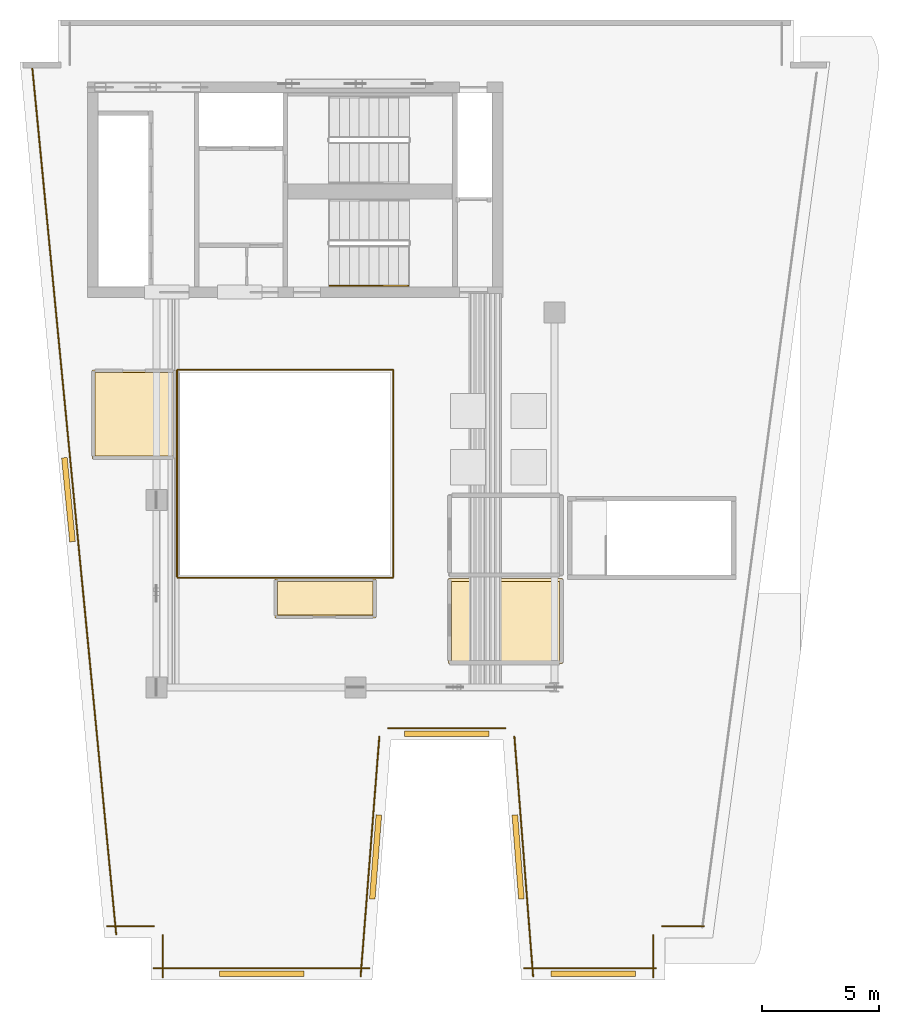
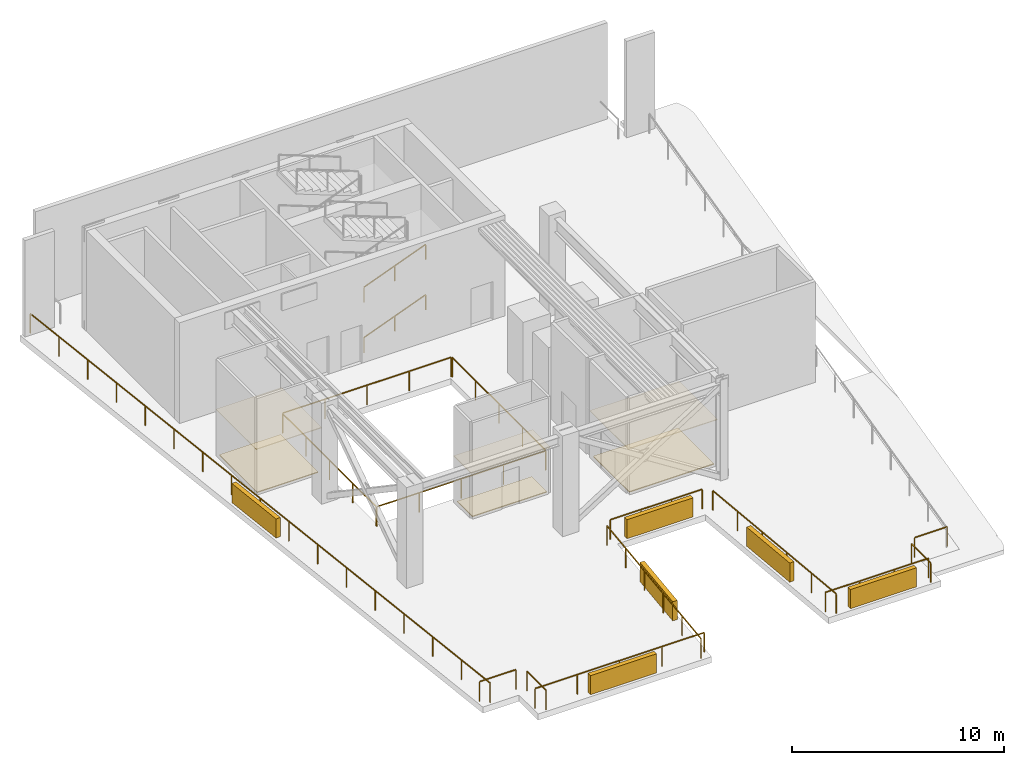
# One storey, part 4 of 8: 16 railings, 6 coverings, 6 shading devices.
"""IFC4 building model written with IfcOpenShell, lengths in metres."""

from ifc_helpers import new_model, si_unit, direction, frame, origin, origin_2d, place, context, subcontext, project, spatial, polyline, rectangle, outline, extrude, material, layer, layer_set, type_object, element, save


model = new_model("IFC4")

# Units and contexts
model_context = context("Model", 3, precision=1e-05, world=origin(), true_north=direction((0.0, 1.0)))
body_context = subcontext(model_context, "Body", "Model", "MODEL_VIEW")
ifc_project = project(units=[si_unit("LENGTHUNIT", "METRE"), si_unit("AREAUNIT", "SQUARE_METRE"), si_unit("VOLUMEUNIT", "CUBIC_METRE"), si_unit("PLANEANGLEUNIT", "RADIAN"), si_unit("MASSUNIT", "GRAM", prefix="KILO")], contexts=[model_context])

# Site, building, storey
site_placement = place(None, origin())
site = spatial("IfcSite", under=ifc_project, at=site_placement, CompositionType="ELEMENT")
building_placement = place(site_placement, origin())
building = spatial("IfcBuilding", under=site, at=building_placement, Name="Caeloran Harvest Quay", CompositionType="ELEMENT")
storey_placement = place(building_placement, frame((0.0, 0.0, 250.89990234375)))
storey = spatial("IfcBuildingStorey", under=building, at=storey_placement, Name="L60", CompositionType="ELEMENT", Elevation=250.89990234375)

# Coverings
ifc_material_1 = material(Name="Perforated Mineral-Fibre Acoustic Ceiling Tile", Category="ceiling")
ifc_layer_1 = layer(ifc_material_1, 0.0400390625, Name="Perforated Mineral-Fibre Acoustic Ceiling Tile")
ifc_layer_set_1 = layer_set([ifc_layer_1], Name="Perforated Mineral-Fibre Acoustic Ceiling Tile")
covering_type_1 = type_object("IfcCoveringType", Name="COV-CEILING-ACOUSTIC", PredefinedType="CEILING", material=ifc_layer_set_1)
covering_1_placement = place(storey_placement, frame((0.0, 0.0, 2.60009765625)))
element("IfcCovering", 1, at=covering_1_placement, inside=storey, type_object=covering_type_1, Name="L60 Zone Chilled-Water Heat Exchanger and Pump Plant Room Acoustic Ceiling", PredefinedType="CEILING", context=body_context, shape_type="SweptSolid", body=[
    extrude(outline(polyline([(25.840087890625, 19.639892578125), (25.840087890625, 16.010009765625), (20.97998046875, 16.010009765625), (20.97998046875, 19.639892578125), (25.840087890625, 19.639892578125)])), origin(), (0.0, 0.0, 1.0), 0.0400390625),
])
covering_2_placement = place(storey_placement, frame((0.0, 0.0, 2.60009765625)))
element("IfcCovering", 2, at=covering_2_placement, inside=storey, type_object=covering_type_1, Name="L60 Refuge Male Washroom WC Acoustic Ceiling", PredefinedType="CEILING", context=body_context, shape_type="SweptSolid", body=[
    extrude(outline(polyline([(17.860107421875, 19.6298828125), (17.860107421875, 17.9599609375), (13.56005859375, 17.9599609375), (13.56005859375, 19.6298828125), (17.860107421875, 19.6298828125)])), origin(), (0.0, 0.0, 1.0), 0.0400390625),
])
covering_3_placement = place(storey_placement, frame((0.0, 0.0, 2.60009765625)))
element("IfcCovering", 3, at=covering_3_placement, inside=storey, type_object=covering_type_1, Name="L60 Refuge Accessible Unisex Washroom WC Acoustic Ceiling", PredefinedType="CEILING", context=body_context, shape_type="SweptSolid", body=[
    extrude(outline(polyline([(9.330078125, 28.56005859375), (9.330078125, 24.760009765625), (5.760009765625, 24.760009765625), (5.760009765625, 28.56005859375), (9.330078125, 28.56005859375)])), origin(), (0.0, 0.0, 1.0), 0.0400390625),
])
ifc_material_2 = material(Name="Calcium-Sulphate Raised Access Floor and Terrazzo Finish", Category="flooring")
ifc_layer_2 = layer(ifc_material_2, 0.050048828125, Name="Calcium-Sulphate Raised Access Floor and Terrazzo Finish")
ifc_layer_set_2 = layer_set([ifc_layer_2], Name="Calcium-Sulphate Raised Access Floor and Terrazzo Finish")
covering_type_2 = type_object("IfcCoveringType", Name="COV-FLOOR-RAISED", PredefinedType="FLOORING", material=ifc_layer_set_2)
covering_4_placement = place(storey_placement, origin())
element("IfcCovering", 4, at=covering_4_placement, inside=storey, type_object=covering_type_2, Name="L60 Zone Chilled-Water Heat Exchanger and Pump Plant Room Raised Finish Flooring", PredefinedType="FLOORING", context=body_context, shape_type="SweptSolid", body=[
    extrude(outline(polyline([(25.719970703125, 19.52001953125), (25.719970703125, 16.1298828125), (21.10009765625, 16.1298828125), (21.10009765625, 19.52001953125), (25.719970703125, 19.52001953125)])), origin(), (0.0, 0.0, 1.0), 0.050048828125),
])
covering_5_placement = place(storey_placement, origin())
element("IfcCovering", 5, at=covering_5_placement, inside=storey, type_object=covering_type_2, Name="L60 Refuge Male Washroom WC Raised Finish Flooring", PredefinedType="FLOORING", context=body_context, shape_type="SweptSolid", body=[
    extrude(outline(polyline([(17.739990234375, 19.510009765625), (17.739990234375, 18.080078125), (13.679931640625, 18.080078125), (13.679931640625, 19.510009765625), (17.739990234375, 19.510009765625)])), origin(), (0.0, 0.0, 1.0), 0.050048828125),
])
covering_6_placement = place(storey_placement, origin())
element("IfcCovering", 6, at=covering_6_placement, inside=storey, type_object=covering_type_2, Name="L60 Refuge Accessible Unisex Washroom WC Raised Finish Flooring", PredefinedType="FLOORING", context=body_context, shape_type="SweptSolid", body=[
    extrude(outline(polyline([(9.2099609375, 28.43994140625), (9.2099609375, 24.8798828125), (5.8798828125, 24.8798828125), (5.8798828125, 28.43994140625), (9.2099609375, 28.43994140625)])), origin(), (0.0, 0.0, 1.0), 0.050048828125),
])

# Railings
ifc_material_3 = material(Name="Powder-Coated Steel Post and Laminated Glass Guardrail", Category="steel")
ifc_layer_3 = layer(ifc_material_3, 0.06005859375, Name="Powder-Coated Steel Post and Laminated Glass Guardrail")
ifc_layer_set_3 = layer_set([ifc_layer_3], Name="Powder-Coated Steel Post and Laminated Glass Guardrail")
railing_type_1 = type_object("IfcRailingType", Name="GUARD-ATRIUM-1150", PredefinedType="GUARDRAIL", material=ifc_layer_set_3)
railing_1_placement = place(storey_placement, frame((9.412109375, 19.679931640625, 0.0)))
element("IfcRailing", 7, at=railing_1_placement, inside=storey, type_object=railing_type_1, Name="L60 Skylit Atrium Void Perimeter Guardrail Seg 1", PredefinedType="GUARDRAIL", context=body_context, shape_type="SweptSolid", body=[
    extrude(rectangle(XDim=0.048095703125, YDim=0.048095703125, at=origin_2d()), frame((0.0, 0.0, 1.1259765625), z_axis=(1.0, 0.0, 0.0), x_axis=(0.0, 1.0, 0.0)), (0.0, 0.0, 1.0), 9.17578125),
    extrude(rectangle(XDim=0.0419921875, YDim=0.0419921875, at=origin_2d()), origin(), (0.0, 0.0, 1.0), 1.101806640625),
    extrude(rectangle(XDim=0.0419921875, YDim=0.0419921875, at=origin_2d()), frame((2.2939453125, 0.0, 0.0)), (0.0, 0.0, 1.0), 1.101806640625),
    extrude(rectangle(XDim=0.0419921875, YDim=0.0419921875, at=origin_2d()), frame((4.587890625, 0.0, 0.0)), (0.0, 0.0, 1.0), 1.101806640625),
    extrude(rectangle(XDim=0.0419921875, YDim=0.0419921875, at=origin_2d()), frame((6.8818359375, 0.0, 0.0)), (0.0, 0.0, 1.0), 1.101806640625),
    extrude(rectangle(XDim=0.0419921875, YDim=0.0419921875, at=origin_2d()), frame((9.17578125, 0.0, 0.0)), (0.0, 0.0, 1.0), 1.101806640625),
])
railing_2_placement = place(storey_placement, frame((18.6201171875, 19.7119140625, 0.0)))
element("IfcRailing", 8, at=railing_2_placement, inside=storey, type_object=railing_type_1, Name="L60 Skylit Atrium Void Perimeter Guardrail Seg 2", PredefinedType="GUARDRAIL", context=body_context, shape_type="SweptSolid", body=[
    extrude(rectangle(XDim=0.048095703125, YDim=0.048095703125, at=origin_2d()), frame((0.0, 0.0, 1.1259765625), z_axis=(0.0, 1.0, 0.0), x_axis=(-1.0, 0.0, 0.0)), (0.0, 0.0, 1.0), 8.826171875),
    extrude(rectangle(XDim=0.0419921875, YDim=0.0419921875, at=origin_2d()), origin(), (0.0, 0.0, 1.0), 1.101806640625),
    extrude(rectangle(XDim=0.0419921875, YDim=0.0419921875, at=origin_2d()), frame((0.0, 2.20654296875, 0.0)), (0.0, 0.0, 1.0), 1.101806640625),
    extrude(rectangle(XDim=0.0419921875, YDim=0.0419921875, at=origin_2d()), frame((0.0, 4.4130859375, 0.0)), (0.0, 0.0, 1.0), 1.101806640625),
    extrude(rectangle(XDim=0.0419921875, YDim=0.0419921875, at=origin_2d()), frame((0.0, 6.61962890625, 0.0)), (0.0, 0.0, 1.0), 1.101806640625),
    extrude(rectangle(XDim=0.0419921875, YDim=0.0419921875, at=origin_2d()), frame((0.0, 8.826171875, 0.0)), (0.0, 0.0, 1.0), 1.101806640625),
])
railing_3_placement = place(storey_placement, frame((18.587890625, 28.570068359375, 0.0)))
element("IfcRailing", 9, at=railing_3_placement, inside=storey, type_object=railing_type_1, Name="L60 Skylit Atrium Void Perimeter Guardrail Seg 3", PredefinedType="GUARDRAIL", context=body_context, shape_type="SweptSolid", body=[
    extrude(rectangle(XDim=0.048095703125, YDim=0.048095703125, at=origin_2d()), frame((0.0, 0.0, 1.1259765625), z_axis=(-1.0, 0.0, 0.0), x_axis=(0.0, -1.0, 0.0)), (0.0, 0.0, 1.0), 9.17578125),
    extrude(rectangle(XDim=0.0419921875, YDim=0.0419921875, at=origin_2d()), origin(), (0.0, 0.0, 1.0), 1.101806640625),
    extrude(rectangle(XDim=0.0419921875, YDim=0.0419921875, at=origin_2d()), frame((-2.2939453125, 0.0, 0.0)), (0.0, 0.0, 1.0), 1.101806640625),
    extrude(rectangle(XDim=0.0419921875, YDim=0.0419921875, at=origin_2d()), frame((-4.587890625, 0.0, 0.0)), (0.0, 0.0, 1.0), 1.101806640625),
    extrude(rectangle(XDim=0.0419921875, YDim=0.0419921875, at=origin_2d()), frame((-6.8818359375, 0.0, 0.0)), (0.0, 0.0, 1.0), 1.101806640625),
    extrude(rectangle(XDim=0.0419921875, YDim=0.0419921875, at=origin_2d()), frame((-9.17578125, 0.0, 0.0)), (0.0, 0.0, 1.0), 1.101806640625),
])
railing_4_placement = place(storey_placement, frame((9.3798828125, 28.5380859375, 0.0)))
element("IfcRailing", 10, at=railing_4_placement, inside=storey, type_object=railing_type_1, Name="L60 Skylit Atrium Void Perimeter Guardrail Seg 4", PredefinedType="GUARDRAIL", context=body_context, shape_type="SweptSolid", body=[
    extrude(rectangle(XDim=0.048095703125, YDim=0.048095703125, at=origin_2d()), frame((0.0, 0.0, 1.1259765625), z_axis=(0.0, -1.0, 0.0), x_axis=(1.0, 0.0, 0.0)), (0.0, 0.0, 1.0), 8.826171875),
    extrude(rectangle(XDim=0.0419921875, YDim=0.0419921875, at=origin_2d()), origin(), (0.0, 0.0, 1.0), 1.101806640625),
    extrude(rectangle(XDim=0.0419921875, YDim=0.0419921875, at=origin_2d()), frame((0.0, -2.20654296875, 0.0)), (0.0, 0.0, 1.0), 1.101806640625),
    extrude(rectangle(XDim=0.0419921875, YDim=0.0419921875, at=origin_2d()), frame((0.0, -4.4130859375, 0.0)), (0.0, 0.0, 1.0), 1.101806640625),
    extrude(rectangle(XDim=0.0419921875, YDim=0.0419921875, at=origin_2d()), frame((0.0, -6.61962890625, 0.0)), (0.0, 0.0, 1.0), 1.101806640625),
    extrude(rectangle(XDim=0.0419921875, YDim=0.0419921875, at=origin_2d()), frame((0.0, -8.826171875, 0.0)), (0.0, 0.0, 1.0), 1.101806640625),
])
ifc_material_4 = material(Name="Laminated Safety Glass and Stainless Steel 316", Category="steel")
ifc_layer_4 = layer(ifc_material_4, 0.06005859375, Name="Laminated Safety Glass and Stainless Steel 316")
ifc_layer_set_4 = layer_set([ifc_layer_4], Name="Laminated Safety Glass and Stainless Steel 316")
railing_type_2 = type_object("IfcRailingType", Name="GUARD-BALUSTRADE-1150", PredefinedType="BALUSTRADE", material=ifc_layer_set_4)
railing_5_placement = place(storey_placement, frame((8.76904296875, 2.6201171875, 0.0)))
element("IfcRailing", 11, at=railing_5_placement, inside=storey, type_object=railing_type_2, Name="L60 Open Refuge and Wind-Slot Perimeter Balustrade 1", PredefinedType="BALUSTRADE", context=body_context, shape_type="SweptSolid", body=[
    extrude(rectangle(XDim=0.048095703125, YDim=0.048095703125, at=origin_2d()), frame((0.0, 0.0, 1.1259765625), z_axis=(0.0, 1.0, 0.0), x_axis=(-1.0, 0.0, 0.0)), (0.0, 0.0, 1.0), 1.7998046875),
    extrude(rectangle(XDim=0.0419921875, YDim=0.0419921875, at=origin_2d()), origin(), (0.0, 0.0, 1.0), 1.101806640625),
    extrude(rectangle(XDim=0.0419921875, YDim=0.0419921875, at=origin_2d()), frame((0.0, 1.7998046875, 0.0)), (0.0, 0.0, 1.0), 1.101806640625),
])
railing_6_placement = place(storey_placement, frame((8.388916015625, 4.800048828125, 0.0)))
element("IfcRailing", 12, at=railing_6_placement, inside=storey, type_object=railing_type_2, Name="L60 Open Refuge and Wind-Slot Perimeter Balustrade 2", PredefinedType="BALUSTRADE", context=body_context, shape_type="SweptSolid", body=[
    extrude(rectangle(XDim=0.048095703125, YDim=0.048095703125, at=origin_2d()), frame((0.0, 0.0, 1.1259765625), z_axis=(-1.0, 0.0, 0.0), x_axis=(0.0, -1.0, 0.0)), (0.0, 0.0, 1.0), 1.985107421875),
    extrude(rectangle(XDim=0.0419921875, YDim=0.0419921875, at=origin_2d()), origin(), (0.0, 0.0, 1.0), 1.101806640625),
    extrude(rectangle(XDim=0.0419921875, YDim=0.0419921875, at=origin_2d()), frame((-1.985107421875, 0.0, 0.0)), (0.0, 0.0, 1.0), 1.101806640625),
])
railing_7_placement = place(storey_placement, frame((6.781982421875, 4.45654296875, 0.0)))
element("IfcRailing", 13, at=railing_7_placement, inside=storey, type_object=railing_type_2, Name="L60 Open Refuge and Wind-Slot Perimeter Balustrade 3", PredefinedType="BALUSTRADE", context=body_context, shape_type="SweptSolid", body=[
    extrude(rectangle(XDim=0.048095703125, YDim=0.048095703125, at=origin_2d()), frame((0.0, 0.0, 1.1259765625), z_axis=(-0.096357842302, 0.995346756777, 0.0), x_axis=(-0.995346756777, -0.096357842302, 0.0)), (0.0, 0.0, 1.0), 37.333984375),
    extrude(rectangle(XDim=0.0419921875, YDim=0.0419921875, at=origin_2d()), origin(), (0.0, 0.0, 1.0), 1.101806640625),
    extrude(rectangle(XDim=0.0419921875, YDim=0.0419921875, at=origin_2d()), frame((-0.224853515625, 2.322509765625, 0.0)), (0.0, 0.0, 1.0), 1.101806640625),
    extrude(rectangle(XDim=0.0419921875, YDim=0.0419921875, at=origin_2d()), frame((-0.44970703125, 4.64501953125, 0.0)), (0.0, 0.0, 1.0), 1.101806640625),
    extrude(rectangle(XDim=0.0419921875, YDim=0.0419921875, at=origin_2d()), frame((-0.674560546875, 6.967529296875, 0.0)), (0.0, 0.0, 1.0), 1.101806640625),
    extrude(rectangle(XDim=0.0419921875, YDim=0.0419921875, at=origin_2d()), frame((-0.8994140625, 9.2900390625, 0.0)), (0.0, 0.0, 1.0), 1.101806640625),
    extrude(rectangle(XDim=0.0419921875, YDim=0.0419921875, at=origin_2d()), frame((-1.124267578125, 11.612548828125, 0.0)), (0.0, 0.0, 1.0), 1.101806640625),
    extrude(rectangle(XDim=0.0419921875, YDim=0.0419921875, at=origin_2d()), frame((-1.34912109375, 13.93505859375, 0.0)), (0.0, 0.0, 1.0), 1.101806640625),
    extrude(rectangle(XDim=0.0419921875, YDim=0.0419921875, at=origin_2d()), frame((-1.573974609375, 16.257568359375, 0.0)), (0.0, 0.0, 1.0), 1.101806640625),
    extrude(rectangle(XDim=0.0419921875, YDim=0.0419921875, at=origin_2d()), frame((-1.798828125, 18.580078125, 0.0)), (0.0, 0.0, 1.0), 1.101806640625),
    extrude(rectangle(XDim=0.0419921875, YDim=0.0419921875, at=origin_2d()), frame((-2.0234375, 20.902587890625, 0.0)), (0.0, 0.0, 1.0), 1.101806640625),
    extrude(rectangle(XDim=0.0419921875, YDim=0.0419921875, at=origin_2d()), frame((-2.248291015625, 23.22509765625, 0.0)), (0.0, 0.0, 1.0), 1.101806640625),
    extrude(rectangle(XDim=0.0419921875, YDim=0.0419921875, at=origin_2d()), frame((-2.47314453125, 25.547607421875, 0.0)), (0.0, 0.0, 1.0), 1.101806640625),
    extrude(rectangle(XDim=0.0419921875, YDim=0.0419921875, at=origin_2d()), frame((-2.697998046875, 27.8701171875, 0.0)), (0.0, 0.0, 1.0), 1.101806640625),
    extrude(rectangle(XDim=0.0419921875, YDim=0.0419921875, at=origin_2d()), frame((-2.9228515625, 30.192626953125, 0.0)), (0.0, 0.0, 1.0), 1.101806640625),
    extrude(rectangle(XDim=0.0419921875, YDim=0.0419921875, at=origin_2d()), frame((-3.147705078125, 32.51513671875, 0.0)), (0.0, 0.0, 1.0), 1.101806640625),
    extrude(rectangle(XDim=0.0419921875, YDim=0.0419921875, at=origin_2d()), frame((-3.37255859375, 34.837646484375, 0.0)), (0.0, 0.0, 1.0), 1.101806640625),
    extrude(rectangle(XDim=0.0419921875, YDim=0.0419921875, at=origin_2d()), frame((-3.597412109375, 37.16015625, 0.0)), (0.0, 0.0, 1.0), 1.101806640625),
])
railing_8_placement = place(storey_placement, frame((31.872314453125, 4.800048828125, 0.0)))
element("IfcRailing", 14, at=railing_8_placement, inside=storey, type_object=railing_type_2, Name="L60 Open Refuge and Wind-Slot Perimeter Balustrade 10", PredefinedType="BALUSTRADE", context=body_context, shape_type="SweptSolid", body=[
    extrude(rectangle(XDim=0.048095703125, YDim=0.048095703125, at=origin_2d()), frame((0.0, 0.0, 1.1259765625), z_axis=(-1.0, 0.0, 0.0), x_axis=(0.0, -1.0, 0.0)), (0.0, 0.0, 1.0), 1.773193359375),
    extrude(rectangle(XDim=0.0419921875, YDim=0.0419921875, at=origin_2d()), origin(), (0.0, 0.0, 1.0), 1.101806640625),
    extrude(rectangle(XDim=0.0419921875, YDim=0.0419921875, at=origin_2d()), frame((-1.773193359375, 0.0, 0.0)), (0.0, 0.0, 1.0), 1.101806640625),
])
railing_9_placement = place(storey_placement, frame((29.718994140625, 4.419921875, 0.0)))
element("IfcRailing", 15, at=railing_9_placement, inside=storey, type_object=railing_type_2, Name="L60 Open Refuge and Wind-Slot Perimeter Balustrade 11", PredefinedType="BALUSTRADE", context=body_context, shape_type="SweptSolid", body=[
    extrude(rectangle(XDim=0.048095703125, YDim=0.048095703125, at=origin_2d()), frame((0.0, 0.0, 1.1259765625), z_axis=(0.0, -1.0, 0.0), x_axis=(1.0, 0.0, 0.0)), (0.0, 0.0, 1.0), 1.7998046875),
    extrude(rectangle(XDim=0.0419921875, YDim=0.0419921875, at=origin_2d()), origin(), (0.0, 0.0, 1.0), 1.101806640625),
    extrude(rectangle(XDim=0.0419921875, YDim=0.0419921875, at=origin_2d()), frame((0.0, -1.7998046875, 0.0)), (0.0, 0.0, 1.0), 1.101806640625),
])
railing_10_placement = place(storey_placement, frame((29.821044921875, 3.0, 0.0)))
element("IfcRailing", 16, at=railing_10_placement, inside=storey, type_object=railing_type_2, Name="L60 Open Refuge and Wind-Slot Perimeter Balustrade 12", PredefinedType="BALUSTRADE", context=body_context, shape_type="SweptSolid", body=[
    extrude(rectangle(XDim=0.048095703125, YDim=0.048095703125, at=origin_2d()), frame((0.0, 0.0, 1.1259765625), z_axis=(-1.0, 0.0, 0.0), x_axis=(0.0, -1.0, 0.0)), (0.0, 0.0, 1.0), 5.611572265625),
    extrude(rectangle(XDim=0.0419921875, YDim=0.0419921875, at=origin_2d()), origin(), (0.0, 0.0, 1.0), 1.101806640625),
    extrude(rectangle(XDim=0.0419921875, YDim=0.0419921875, at=origin_2d()), frame((-1.87060546875, 0.0, 0.0)), (0.0, 0.0, 1.0), 1.101806640625),
    extrude(rectangle(XDim=0.0419921875, YDim=0.0419921875, at=origin_2d()), frame((-3.740966796875, 0.0, 0.0)), (0.0, 0.0, 1.0), 1.101806640625),
    extrude(rectangle(XDim=0.0419921875, YDim=0.0419921875, at=origin_2d()), frame((-5.611572265625, 0.0, 0.0)), (0.0, 0.0, 1.0), 1.101806640625),
])
railing_11_placement = place(storey_placement, frame((24.58837890625, 2.649658203125, 0.0)))
element("IfcRailing", 17, at=railing_11_placement, inside=storey, type_object=railing_type_2, Name="L60 Open Refuge and Wind-Slot Perimeter Balustrade 13", PredefinedType="BALUSTRADE", context=body_context, shape_type="SweptSolid", body=[
    extrude(rectangle(XDim=0.048095703125, YDim=0.048095703125, at=origin_2d()), frame((0.0, 0.0, 1.1259765625), z_axis=(-0.077816860153, 0.996967670627, 0.0), x_axis=(-0.996967670627, -0.077816860153, 0.0)), (0.0, 0.0, 1.0), 10.28125),
    extrude(rectangle(XDim=0.0419921875, YDim=0.0419921875, at=origin_2d()), origin(), (0.0, 0.0, 1.0), 1.101806640625),
    extrude(rectangle(XDim=0.0419921875, YDim=0.0419921875, at=origin_2d()), frame((-0.159912109375, 2.050048828125, 0.0)), (0.0, 0.0, 1.0), 1.101806640625),
    extrude(rectangle(XDim=0.0419921875, YDim=0.0419921875, at=origin_2d()), frame((-0.320068359375, 4.10009765625, 0.0)), (0.0, 0.0, 1.0), 1.101806640625),
    extrude(rectangle(XDim=0.0419921875, YDim=0.0419921875, at=origin_2d()), frame((-0.47998046875, 6.14990234375, 0.0)), (0.0, 0.0, 1.0), 1.101806640625),
    extrude(rectangle(XDim=0.0419921875, YDim=0.0419921875, at=origin_2d()), frame((-0.64013671875, 8.199951171875, 0.0)), (0.0, 0.0, 1.0), 1.101806640625),
    extrude(rectangle(XDim=0.0419921875, YDim=0.0419921875, at=origin_2d()), frame((-0.800048828125, 10.25, 0.0)), (0.0, 0.0, 1.0), 1.101806640625),
])
railing_12_placement = place(storey_placement, frame((23.409423828125, 13.25, 0.0)))
element("IfcRailing", 18, at=railing_12_placement, inside=storey, type_object=railing_type_2, Name="L60 Open Refuge and Wind-Slot Perimeter Balustrade 14", PredefinedType="BALUSTRADE", context=body_context, shape_type="SweptSolid", body=[
    extrude(rectangle(XDim=0.048095703125, YDim=0.048095703125, at=origin_2d()), frame((0.0, 0.0, 1.1259765625), z_axis=(-1.0, 0.0, 0.0), x_axis=(0.0, -1.0, 0.0)), (0.0, 0.0, 1.0), 5.009521484375),
    extrude(rectangle(XDim=0.0419921875, YDim=0.0419921875, at=origin_2d()), origin(), (0.0, 0.0, 1.0), 1.101806640625),
    extrude(rectangle(XDim=0.0419921875, YDim=0.0419921875, at=origin_2d()), frame((-1.669921875, 0.0, 0.0)), (0.0, 0.0, 1.0), 1.101806640625),
    extrude(rectangle(XDim=0.0419921875, YDim=0.0419921875, at=origin_2d()), frame((-3.339599609375, 0.0, 0.0)), (0.0, 0.0, 1.0), 1.101806640625),
    extrude(rectangle(XDim=0.0419921875, YDim=0.0419921875, at=origin_2d()), frame((-5.009521484375, 0.0, 0.0)), (0.0, 0.0, 1.0), 1.101806640625),
])
railing_13_placement = place(storey_placement, frame((18.021240234375, 12.899658203125, 0.0)))
element("IfcRailing", 19, at=railing_13_placement, inside=storey, type_object=railing_type_2, Name="L60 Open Refuge and Wind-Slot Perimeter Balustrade 15", PredefinedType="BALUSTRADE", context=body_context, shape_type="SweptSolid", body=[
    extrude(rectangle(XDim=0.048095703125, YDim=0.048095703125, at=origin_2d()), frame((0.0, 0.0, 1.1259765625), z_axis=(-0.077816860153, -0.996967670627, 0.0), x_axis=(0.996967670627, -0.077816860153, 0.0)), (0.0, 0.0, 1.0), 10.28125),
    extrude(rectangle(XDim=0.0419921875, YDim=0.0419921875, at=origin_2d()), origin(), (0.0, 0.0, 1.0), 1.101806640625),
    extrude(rectangle(XDim=0.0419921875, YDim=0.0419921875, at=origin_2d()), frame((-0.159912109375, -2.050048828125, 0.0)), (0.0, 0.0, 1.0), 1.101806640625),
    extrude(rectangle(XDim=0.0419921875, YDim=0.0419921875, at=origin_2d()), frame((-0.320068359375, -4.10009765625, 0.0)), (0.0, 0.0, 1.0), 1.101806640625),
    extrude(rectangle(XDim=0.0419921875, YDim=0.0419921875, at=origin_2d()), frame((-0.47998046875, -6.14990234375, 0.0)), (0.0, 0.0, 1.0), 1.101806640625),
    extrude(rectangle(XDim=0.0419921875, YDim=0.0419921875, at=origin_2d()), frame((-0.64013671875, -8.199951171875, 0.0)), (0.0, 0.0, 1.0), 1.101806640625),
    extrude(rectangle(XDim=0.0419921875, YDim=0.0419921875, at=origin_2d()), frame((-0.800048828125, -10.25, 0.0)), (0.0, 0.0, 1.0), 1.101806640625),
])
railing_14_placement = place(storey_placement, frame((17.60009765625, 3.0, 0.0)))
element("IfcRailing", 20, at=railing_14_placement, inside=storey, type_object=railing_type_2, Name="L60 Open Refuge and Wind-Slot Perimeter Balustrade 16", PredefinedType="BALUSTRADE", context=body_context, shape_type="SweptSolid", body=[
    extrude(rectangle(XDim=0.048095703125, YDim=0.048095703125, at=origin_2d()), frame((0.0, 0.0, 1.1259765625), z_axis=(-1.0, 0.0, 0.0), x_axis=(0.0, -1.0, 0.0)), (0.0, 0.0, 1.0), 9.211181640625),
    extrude(rectangle(XDim=0.0419921875, YDim=0.0419921875, at=origin_2d()), origin(), (0.0, 0.0, 1.0), 1.101806640625),
    extrude(rectangle(XDim=0.0419921875, YDim=0.0419921875, at=origin_2d()), frame((-2.302734375, 0.0, 0.0)), (0.0, 0.0, 1.0), 1.101806640625),
    extrude(rectangle(XDim=0.0419921875, YDim=0.0419921875, at=origin_2d()), frame((-4.60546875, 0.0, 0.0)), (0.0, 0.0, 1.0), 1.101806640625),
    extrude(rectangle(XDim=0.0419921875, YDim=0.0419921875, at=origin_2d()), frame((-6.908447265625, 0.0, 0.0)), (0.0, 0.0, 1.0), 1.101806640625),
    extrude(rectangle(XDim=0.0419921875, YDim=0.0419921875, at=origin_2d()), frame((-9.211181640625, 0.0, 0.0)), (0.0, 0.0, 1.0), 1.101806640625),
])

# Shading devices
ifc_material_5 = material(Name="6063-T6 Extruded Aluminium Acoustic Weather Louvre", Category="aluminium")
shading_device_type = type_object("IfcShadingDeviceType", Name="SHADE-LOUVRE-PLANT", PredefinedType="JALOUSIE", material=ifc_material_5)
for number, where, z_axis, x_axis, name in (
    (21, (4.744384765625, 23.013427734375, 0.0), (0.0, 0.0, 1.0), (-0.096366927589, 0.995345877204, 0.0), "L60 Acoustic Weather Louvre 3"),
    (22, (27.154296875, 2.760009765625, 0.0), (0.0, 0.0, 1.0), (-1.0, 0.0, 0.0), "L60 Acoustic Weather Louvre 12"),
    (23, (23.94921875, 7.755859375, 0.0), (0.0, 0.0, 1.0), (-0.077763097071, 0.996971865568, 0.0), "L60 Acoustic Weather Louvre 13"),
    (24, (20.90478515625, 13.010009765625, 0.0), (0.0, 0.0, 1.0), (-1.0, 0.0, 0.0), "L60 Acoustic Weather Louvre 14"),
    (25, (17.8603515625, 7.755859375, 0.0), (0.0, 0.0, 1.0), (-0.077763097071, -0.996971865568, 0.0), "L60 Acoustic Weather Louvre 15"),
    (26, (12.994384765625, 2.760009765625, 0.0), (0.0, 0.0, 1.0), (-1.0, 0.0, 0.0), "L60 Acoustic Weather Louvre 16"),
):
    element("IfcShadingDevice", number, at=place(storey_placement, frame(where, z_axis=z_axis, x_axis=x_axis)), inside=storey, type_object=shading_device_type, Name=name, PredefinedType="JALOUSIE", context=body_context, shape_type="SweptSolid", body=[
        extrude(rectangle(XDim=3.60009765625, YDim=0.239990234375, at=origin_2d()), origin(), (0.0, 0.0, 1.0), 1.10009765625),
    ])

# Railings
ifc_material_6 = material(Name="Brushed Stainless Steel Grade 304", Category="steel")
ifc_layer_5 = layer(ifc_material_6, 0.050048828125, Name="Brushed Stainless Steel Grade 304")
ifc_layer_set_5 = layer_set([ifc_layer_5], Name="Brushed Stainless Steel Grade 304")
railing_type_3 = type_object("IfcRailingType", Name="STAIR-HANDRAIL-900", PredefinedType="HANDRAIL", material=ifc_layer_set_5)
railing_15_placement = place(storey_placement, frame((15.89990234375, 32.14990234375, 0.1611328125)))
element("IfcRailing", 27, at=railing_15_placement, inside=storey, type_object=railing_type_3, Name="L60 ST-C2 stair handrail 1", PredefinedType="HANDRAIL", context=body_context, shape_type="SweptSolid", body=[
    extrude(rectangle(XDim=0.048095703125, YDim=0.048095703125, at=origin_2d()), frame((0.0, 0.0, 0.8759765625), z_axis=(0.933651236505, 0.0, 0.358183428667), x_axis=(0.0, 1.0, 0.0)), (0.0, 0.0, 1.0), 3.598876953125),
    extrude(rectangle(XDim=0.0419921875, YDim=0.0419921875, at=origin_2d()), origin(), (0.0, 0.0, 1.0), 0.851806640625),
    extrude(rectangle(XDim=0.0419921875, YDim=0.0419921875, at=origin_2d()), frame((1.68017578125, 0.0, 0.64453125)), (0.0, 0.0, 1.0), 0.851806640625),
    extrude(rectangle(XDim=0.0419921875, YDim=0.0419921875, at=origin_2d()), frame((3.360107421875, 0.0, 1.2890625)), (0.0, 0.0, 1.0), 0.851806640625),
])
railing_16_placement = place(storey_placement, frame((15.89990234375, 32.14990234375, 3.061279296875)))
element("IfcRailing", 28, at=railing_16_placement, inside=storey, type_object=railing_type_3, Name="L60 ST-C2 stair handrail 3", PredefinedType="HANDRAIL", context=body_context, shape_type="SweptSolid", body=[
    extrude(rectangle(XDim=0.048095703125, YDim=0.048095703125, at=origin_2d()), frame((0.0, 0.0, 0.8759765625), z_axis=(0.933673921383, 0.0, 0.358124292013), x_axis=(0.0, 1.0, 0.0)), (0.0, 0.0, 1.0), 3.598876953125),
    extrude(rectangle(XDim=0.0419921875, YDim=0.0419921875, at=origin_2d()), origin(), (0.0, 0.0, 1.0), 0.851806640625),
    extrude(rectangle(XDim=0.0419921875, YDim=0.0419921875, at=origin_2d()), frame((1.68017578125, 0.0, 0.64453125)), (0.0, 0.0, 1.0), 0.851806640625),
    extrude(rectangle(XDim=0.0419921875, YDim=0.0419921875, at=origin_2d()), frame((3.360107421875, 0.0, 1.288818359375)), (0.0, 0.0, 1.0), 0.851806640625),
])

save(model, "model.ifc")
